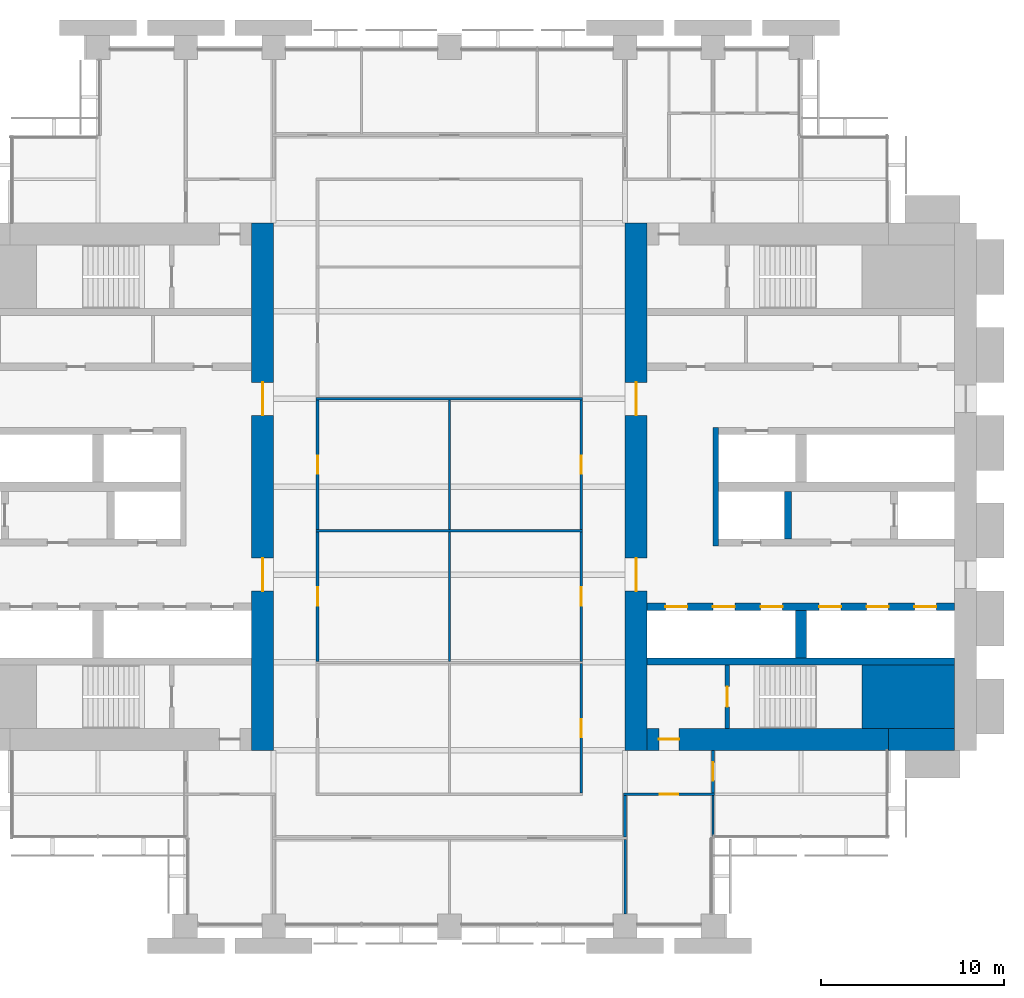
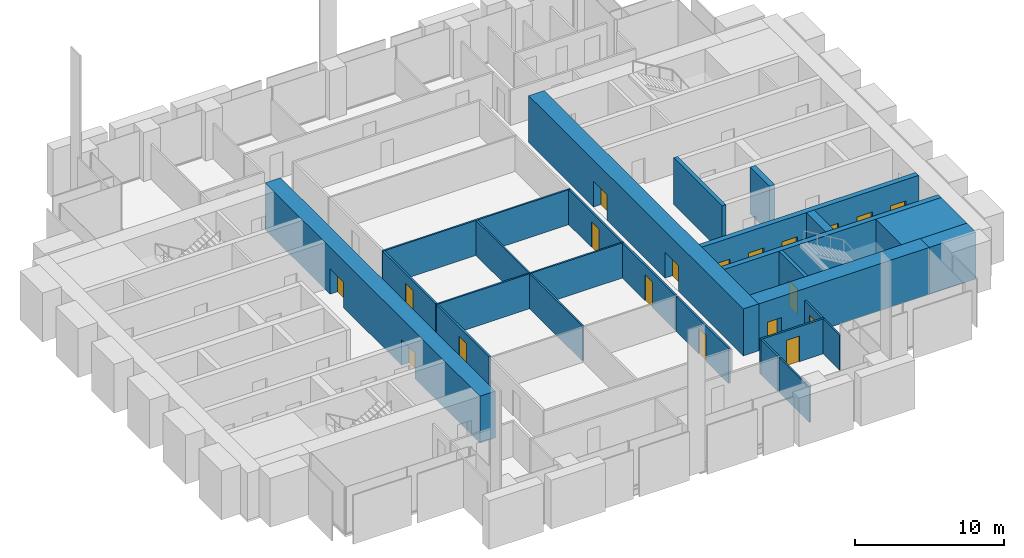
# One storey, part 10 of 14: 25 walls, 19 doors, 19 openings.
"""IFC4 building model written with IfcOpenShell, lengths in metres."""

from ifc_helpers import new_model, si_unit, direction, frame, frame_2d, origin, place, context, subcontext, project, spatial, rectangle, extrude, material, layer, layer_set, type_object, element, fill, save


model = new_model("IFC4")

# Units and contexts
model_context = context("Model", 3, precision=1e-05, world=origin(), true_north=direction((0.0, 1.0)))
body_context = subcontext(model_context, "Body", "Model", "MODEL_VIEW")
ifc_project = project(units=[si_unit("LENGTHUNIT", "METRE"), si_unit("AREAUNIT", "SQUARE_METRE"), si_unit("VOLUMEUNIT", "CUBIC_METRE"), si_unit("PLANEANGLEUNIT", "RADIAN"), si_unit("MASSUNIT", "GRAM", prefix="KILO")], contexts=[model_context])

# Site, building, storey
site_placement = place(None, origin())
site = spatial("IfcSite", under=ifc_project, at=site_placement, CompositionType="ELEMENT")
building_placement = place(site_placement, origin())
building = spatial("IfcBuilding", under=site, at=building_placement, Name="Baori Bourse Tower", CompositionType="ELEMENT")
storey_placement = place(building_placement, frame((0.0, 0.0, 75.0)))
storey = spatial("IfcBuildingStorey", under=building, at=storey_placement, Name="L16", CompositionType="ELEMENT", Elevation=75.0)

# Wall
ifc_material_1 = material(Name="Concrete f'c 70 MPa", Category="concrete")
wall_type_1 = type_object("IfcWallType", Name="Core corner block f'c 70", PredefinedType="SHEAR", material=ifc_material_1)
wall_1_placement = place(storey_placement, frame((51.35009765625, 12.52490234375, 0.0), z_axis=(0.0, 0.0, 1.0), x_axis=(1.0, 0.0, 0.0)))
element("IfcWall", 1, at=wall_1_placement, inside=storey, type_object=wall_type_1, Name="Core wall E05", PredefinedType="SHEAR", context=body_context, shape_type="SweptSolid", body=[
    extrude(rectangle(XDim=5.0498046875, YDim=3.449951171875, at=frame_2d((2.52490234375, 0.0))), origin(), (0.0, 0.0, 1.0), 3.840087890625),
])

# Wall, openings, doors
ifc_material_2 = material(Name="Concrete f'c 70 MPa", Category="concrete")
ifc_layer_1 = layer(ifc_material_2, 1.199951171875)
ifc_layer_set_1 = layer_set([ifc_layer_1], Name="Core wall 1200 f'c 70")
wall_type_2 = type_object("IfcWallType", Name="Core wall 1200 f'c 70", PredefinedType="SHEAR", material=ifc_layer_set_1)
wall_2_placement = place(storey_placement, frame((18.60009765625, 38.39990234375, 0.0), z_axis=(0.0, 0.0, 1.0), x_axis=(0.0, -1.0, 0.0)))
wall_2 = element("IfcWall", 2, at=wall_2_placement, inside=storey, type_object=wall_type_2, Name="Core wall W04", PredefinedType="SHEAR", context=body_context, shape_type="SweptSolid", body=[
    extrude(rectangle(XDim=28.7998046875, YDim=1.199951171875, at=frame_2d((14.39990234375, 0.0))), origin(), (0.0, 0.0, 1.0), 3.840087890625),
])
opening_1_placement = place(wall_2_placement, frame((18.300048828125, 0.0, 0.0)))
opening_1 = element("IfcOpeningElement", 3, at=opening_1_placement, cuts=wall_2, Name="Opening L16-D107", PredefinedType="OPENING", context=body_context, shape_type="SweptSolid", body=[
    extrude(rectangle(XDim=1.800048828125, YDim=2.10009765625, at=frame_2d((0.89990234375, 1.050048828125))), frame((0.0, 0.60986328125, 0.0), z_axis=(0.0, -1.0, 0.0), x_axis=(1.0, 0.0, 0.0)), (0.0, 0.0, 1.0), 1.219970703125),
])
opening_2_placement = place(wall_2_placement, frame((8.699951171875, 0.0, 0.0)))
opening_2 = element("IfcOpeningElement", 4, at=opening_2_placement, cuts=wall_2, Name="Opening L16-D108", PredefinedType="OPENING", context=body_context, shape_type="SweptSolid", body=[
    extrude(rectangle(XDim=1.800048828125, YDim=2.10009765625, at=frame_2d((0.89990234375, 1.050048828125))), frame((0.0, 0.60986328125, 0.0), z_axis=(0.0, -1.0, 0.0), x_axis=(1.0, 0.0, 0.0)), (0.0, 0.0, 1.0), 1.219970703125),
])
ifc_material_3 = material(Name="Painted steel door", Category="steel")
door_type_1 = type_object("IfcDoorType", Name="Core lobby door 1800", OperationType="DOUBLE_DOOR_SINGLE_SWING", PredefinedType="DOOR", material=ifc_material_3)
door_1_placement = place(opening_1_placement, origin())
door_1 = element("IfcDoor", 5, at=door_1_placement, inside=storey, type_object=door_type_1, Name="Lobby door W L16", OperationType="DOUBLE_DOOR_SINGLE_SWING", OverallHeight=2.10009765625, OverallWidth=1.800048828125, PredefinedType="DOOR", context=body_context, shape_type="SweptSolid", body=[
    extrude(rectangle(XDim=1.800048828125, YDim=2.10009765625, at=frame_2d((0.89990234375, 1.050048828125))), frame((0.0, 0.02490234375, 0.0), z_axis=(0.0, -1.0, 0.0), x_axis=(1.0, 0.0, 0.0)), (0.0, 0.0, 1.0), 0.050048828125),
])
fill(opening_1, door_1)
door_2_placement = place(opening_2_placement, origin())
door_2 = element("IfcDoor", 6, at=door_2_placement, inside=storey, type_object=door_type_1, Name="Lobby door W L16", OperationType="DOUBLE_DOOR_SINGLE_SWING", OverallHeight=2.10009765625, OverallWidth=1.800048828125, PredefinedType="DOOR", context=body_context, shape_type="SweptSolid", body=[
    extrude(rectangle(XDim=1.800048828125, YDim=2.10009765625, at=frame_2d((0.89990234375, 1.050048828125))), frame((0.0, 0.02490234375, 0.0), z_axis=(0.0, -1.0, 0.0), x_axis=(1.0, 0.0, 0.0)), (0.0, 0.0, 1.0), 0.050048828125),
])
fill(opening_2, door_2)

# Wall
wall_3_placement = place(storey_placement, frame((56.39990234375, 10.199951171875, 0.0), z_axis=(0.0, 0.0, 1.0), x_axis=(-1.0, 0.0, 0.0)))
element("IfcWall", 7, at=wall_3_placement, inside=storey, type_object=wall_type_2, Name="Core wall E02", PredefinedType="SHEAR", context=body_context, shape_type="SweptSolid", body=[
    extrude(rectangle(XDim=3.599853515625, YDim=1.199951171875, at=frame_2d((1.7998046875, 0.0))), origin(), (0.0, 0.0, 1.0), 3.840087890625),
])

# Wall, opening, door
wall_4_placement = place(storey_placement, frame((52.800048828125, 10.199951171875, 0.0), z_axis=(0.0, 0.0, 1.0), x_axis=(-1.0, 0.0, 0.0)))
wall_4 = element("IfcWall", 8, at=wall_4_placement, inside=storey, type_object=wall_type_2, Name="Core wall E03", PredefinedType="SHEAR", context=body_context, shape_type="SweptSolid", body=[
    extrude(rectangle(XDim=13.199951171875, YDim=1.199951171875, at=frame_2d((6.60009765625, 0.0))), origin(), (0.0, 0.0, 1.0), 3.840087890625),
])
opening_3_placement = place(wall_4_placement, frame((11.449951171875, 0.0, 0.0)))
opening_3 = element("IfcOpeningElement", 9, at=opening_3_placement, cuts=wall_4, Name="Opening L16-D202", PredefinedType="OPENING", context=body_context, shape_type="SweptSolid", body=[
    extrude(rectangle(XDim=1.10009765625, YDim=2.10009765625, at=frame_2d((0.550048828125, 1.050048828125))), frame((0.0, 0.60986328125, 0.0), z_axis=(0.0, -1.0, 0.0), x_axis=(1.0, 0.0, 0.0)), (0.0, 0.0, 1.0), 1.219970703125),
])
ifc_material_4 = material(Name="Painted steel door", Category="steel")
door_type_2 = type_object("IfcDoorType", Name="Stair door 1100", OperationType="SINGLE_SWING_LEFT", PredefinedType="DOOR", material=ifc_material_4)
door_3_placement = place(opening_3_placement, origin())
door_3 = element("IfcDoor", 10, at=door_3_placement, inside=storey, type_object=door_type_2, Name="Stair vestibule door A E L16", OperationType="SINGLE_SWING_LEFT", OverallHeight=2.10009765625, OverallWidth=1.10009765625, PredefinedType="DOOR", context=body_context, shape_type="SweptSolid", body=[
    extrude(rectangle(XDim=1.10009765625, YDim=2.10009765625, at=frame_2d((0.550048828125, 1.050048828125))), frame((0.0, 0.02490234375, 0.0), z_axis=(0.0, -1.0, 0.0), x_axis=(1.0, 0.0, 0.0)), (0.0, 0.0, 1.0), 0.050048828125),
])
fill(opening_3, door_3)

# Wall, openings, doors
wall_5_placement = place(storey_placement, frame((39.0, 9.60009765625, 0.0), z_axis=(0.0, 0.0, 1.0), x_axis=(0.0, 1.0, 0.0)))
wall_5 = element("IfcWall", 11, at=wall_5_placement, inside=storey, type_object=wall_type_2, Name="Core wall E04", PredefinedType="SHEAR", context=body_context, shape_type="SweptSolid", body=[
    extrude(rectangle(XDim=28.7998046875, YDim=1.199951171875, at=frame_2d((14.39990234375, 0.0))), origin(), (0.0, 0.0, 1.0), 3.840087890625),
])
opening_4_placement = place(wall_5_placement, frame((8.699951171875, 0.0, 0.0)))
opening_4 = element("IfcOpeningElement", 12, at=opening_4_placement, cuts=wall_5, Name="Opening L16-D207", PredefinedType="OPENING", context=body_context, shape_type="SweptSolid", body=[
    extrude(rectangle(XDim=1.800048828125, YDim=2.10009765625, at=frame_2d((0.89990234375, 1.050048828125))), frame((0.0, 0.60986328125, 0.0), z_axis=(0.0, -1.0, 0.0), x_axis=(1.0, 0.0, 0.0)), (0.0, 0.0, 1.0), 1.219970703125),
])
opening_5_placement = place(wall_5_placement, frame((18.300048828125, 0.0, 0.0)))
opening_5 = element("IfcOpeningElement", 13, at=opening_5_placement, cuts=wall_5, Name="Opening L16-D208", PredefinedType="OPENING", context=body_context, shape_type="SweptSolid", body=[
    extrude(rectangle(XDim=1.800048828125, YDim=2.10009765625, at=frame_2d((0.89990234375, 1.050048828125))), frame((0.0, 0.60986328125, 0.0), z_axis=(0.0, -1.0, 0.0), x_axis=(1.0, 0.0, 0.0)), (0.0, 0.0, 1.0), 1.219970703125),
])
door_4_placement = place(opening_4_placement, origin())
door_4 = element("IfcDoor", 14, at=door_4_placement, inside=storey, type_object=door_type_1, Name="Lobby door E L16", OperationType="DOUBLE_DOOR_SINGLE_SWING", OverallHeight=2.10009765625, OverallWidth=1.800048828125, PredefinedType="DOOR", context=body_context, shape_type="SweptSolid", body=[
    extrude(rectangle(XDim=1.800048828125, YDim=2.10009765625, at=frame_2d((0.89990234375, 1.050048828125))), frame((0.0, 0.02490234375, 0.0), z_axis=(0.0, -1.0, 0.0), x_axis=(1.0, 0.0, 0.0)), (0.0, 0.0, 1.0), 0.050048828125),
])
fill(opening_4, door_4)
door_5_placement = place(opening_5_placement, origin())
door_5 = element("IfcDoor", 15, at=door_5_placement, inside=storey, type_object=door_type_1, Name="Lobby door E L16", OperationType="DOUBLE_DOOR_SINGLE_SWING", OverallHeight=2.10009765625, OverallWidth=1.800048828125, PredefinedType="DOOR", context=body_context, shape_type="SweptSolid", body=[
    extrude(rectangle(XDim=1.800048828125, YDim=2.10009765625, at=frame_2d((0.89990234375, 1.050048828125))), frame((0.0, 0.02490234375, 0.0), z_axis=(0.0, -1.0, 0.0), x_axis=(1.0, 0.0, 0.0)), (0.0, 0.0, 1.0), 0.050048828125),
])
fill(opening_5, door_5)

# Wall, opening, door
ifc_material_5 = material(Name="Gypsum board partition")
ifc_layer_2 = layer(ifc_material_5, 0.14990234375)
ifc_layer_set_2 = layer_set([ifc_layer_2], Name="Corridor partition 150")
wall_type_3 = type_object("IfcWallType", Name="Corridor partition 150", PredefinedType="PARTITIONING", material=ifc_layer_set_2)
wall_6_placement = place(storey_placement, frame((38.324951171875, 7.199951171875, 0.0), z_axis=(0.0, 0.0, 1.0), x_axis=(1.0, 0.0, 0.0)))
wall_6 = element("IfcWall", 16, at=wall_6_placement, inside=storey, type_object=wall_type_3, Name="Partition", PredefinedType="PARTITIONING", context=body_context, shape_type="SweptSolid", body=[
    extrude(rectangle(XDim=4.949951171875, YDim=0.14990234375, at=frame_2d((2.47509765625, 0.0))), origin(), (0.0, 0.0, 1.0), 2.86962890625),
])
opening_6_placement = place(wall_6_placement, frame((1.97509765625, 0.0, 0.0)))
opening_6 = element("IfcOpeningElement", 17, at=opening_6_placement, cuts=wall_6, Name="Opening L16-D04", PredefinedType="OPENING", context=body_context, shape_type="SweptSolid", body=[
    extrude(rectangle(XDim=1.0, YDim=2.10009765625, at=frame_2d((0.5, 1.050048828125))), frame((0.0, 0.0849609375, 0.0), z_axis=(0.0, -1.0, 0.0), x_axis=(1.0, 0.0, 0.0)), (0.0, 0.0, 1.0), 0.169921875),
])
ifc_material_6 = material(Name="Timber door leaf", Category="wood")
door_type_3 = type_object("IfcDoorType", Name="Door 1000 x 2100", OperationType="SINGLE_SWING_LEFT", PredefinedType="DOOR", material=ifc_material_6)
door_6_placement = place(opening_6_placement, origin())
door_6 = element("IfcDoor", 18, at=door_6_placement, inside=storey, type_object=door_type_3, Name="Door", OperationType="SINGLE_SWING_LEFT", OverallHeight=2.10009765625, OverallWidth=1.0, PredefinedType="DOOR", context=body_context, shape_type="SweptSolid", body=[
    extrude(rectangle(XDim=1.0, YDim=2.10009765625, at=frame_2d((0.5, 1.050048828125))), frame((0.0, 0.02490234375, 0.0), z_axis=(0.0, -1.0, 0.0), x_axis=(1.0, 0.0, 0.0)), (0.0, 0.0, 1.0), 0.050048828125),
])
fill(opening_6, door_6)

wall_7_placement = place(storey_placement, frame((21.60009765625, 14.46240234375, 0.0), z_axis=(0.0, 0.0, 1.0), x_axis=(0.0, 1.0, 0.0)))
wall_7 = element("IfcWall", 19, at=wall_7_placement, inside=storey, type_object=wall_type_3, Name="Partition", PredefinedType="PARTITIONING", context=body_context, shape_type="SweptSolid", body=[
    extrude(rectangle(XDim=7.0751953125, YDim=0.14990234375, at=frame_2d((3.53759765625, 0.0))), origin(), (0.0, 0.0, 1.0), 2.86962890625),
])
opening_7_placement = place(wall_7_placement, frame((3.03759765625, 0.0, 0.0)))
opening_7 = element("IfcOpeningElement", 20, at=opening_7_placement, cuts=wall_7, Name="Opening L16-D17", PredefinedType="OPENING", context=body_context, shape_type="SweptSolid", body=[
    extrude(rectangle(XDim=1.0, YDim=2.10009765625, at=frame_2d((0.5, 1.050048828125))), frame((0.0, 0.0849609375, 0.0), z_axis=(0.0, -1.0, 0.0), x_axis=(1.0, 0.0, 0.0)), (0.0, 0.0, 1.0), 0.169921875),
])
door_7_placement = place(opening_7_placement, origin())
door_7 = element("IfcDoor", 21, at=door_7_placement, inside=storey, type_object=door_type_3, Name="Door", OperationType="SINGLE_SWING_LEFT", OverallHeight=2.10009765625, OverallWidth=1.0, PredefinedType="DOOR", context=body_context, shape_type="SweptSolid", body=[
    extrude(rectangle(XDim=1.0, YDim=2.10009765625, at=frame_2d((0.5, 1.050048828125))), frame((0.0, 0.02490234375, 0.0), z_axis=(0.0, -1.0, 0.0), x_axis=(1.0, 0.0, 0.0)), (0.0, 0.0, 1.0), 0.050048828125),
])
fill(opening_7, door_7)

wall_8_placement = place(storey_placement, frame((21.60009765625, 21.66259765625, 0.0), z_axis=(0.0, 0.0, 1.0), x_axis=(0.0, 1.0, 0.0)))
wall_8 = element("IfcWall", 22, at=wall_8_placement, inside=storey, type_object=wall_type_3, Name="Partition", PredefinedType="PARTITIONING", context=body_context, shape_type="SweptSolid", body=[
    extrude(rectangle(XDim=7.074951171875, YDim=0.14990234375, at=frame_2d((3.53759765625, 0.0))), origin(), (0.0, 0.0, 1.0), 2.86962890625),
])
opening_8_placement = place(wall_8_placement, frame((3.03759765625, 0.0, 0.0)))
opening_8 = element("IfcOpeningElement", 23, at=opening_8_placement, cuts=wall_8, Name="Opening L16-D18", PredefinedType="OPENING", context=body_context, shape_type="SweptSolid", body=[
    extrude(rectangle(XDim=1.0, YDim=2.10009765625, at=frame_2d((0.5, 1.050048828125))), frame((0.0, 0.0849609375, 0.0), z_axis=(0.0, -1.0, 0.0), x_axis=(1.0, 0.0, 0.0)), (0.0, 0.0, 1.0), 0.169921875),
])
door_8_placement = place(opening_8_placement, origin())
door_8 = element("IfcDoor", 24, at=door_8_placement, inside=storey, type_object=door_type_3, Name="Door", OperationType="SINGLE_SWING_LEFT", OverallHeight=2.10009765625, OverallWidth=1.0, PredefinedType="DOOR", context=body_context, shape_type="SweptSolid", body=[
    extrude(rectangle(XDim=1.0, YDim=2.10009765625, at=frame_2d((0.5, 1.050048828125))), frame((0.0, 0.02490234375, 0.0), z_axis=(0.0, -1.0, 0.0), x_axis=(1.0, 0.0, 0.0)), (0.0, 0.0, 1.0), 0.050048828125),
])
fill(opening_8, door_8)

wall_9_placement = place(storey_placement, frame((36.0, 7.27490234375, 0.0), z_axis=(0.0, 0.0, 1.0), x_axis=(0.0, 1.0, 0.0)))
wall_9 = element("IfcWall", 25, at=wall_9_placement, inside=storey, type_object=wall_type_3, Name="Partition", PredefinedType="PARTITIONING", context=body_context, shape_type="SweptSolid", body=[
    extrude(rectangle(XDim=7.0625, YDim=0.14990234375, at=frame_2d((3.53125, 0.0))), origin(), (0.0, 0.0, 1.0), 2.86962890625),
])
opening_9_placement = place(wall_9_placement, frame((3.03125, 0.0, 0.0)))
opening_9 = element("IfcOpeningElement", 26, at=opening_9_placement, cuts=wall_9, Name="Opening L16-D20", PredefinedType="OPENING", context=body_context, shape_type="SweptSolid", body=[
    extrude(rectangle(XDim=1.0, YDim=2.10009765625, at=frame_2d((0.5, 1.050048828125))), frame((0.0, 0.0849609375, 0.0), z_axis=(0.0, -1.0, 0.0), x_axis=(1.0, 0.0, 0.0)), (0.0, 0.0, 1.0), 0.169921875),
])
door_9_placement = place(opening_9_placement, origin())
door_9 = element("IfcDoor", 27, at=door_9_placement, inside=storey, type_object=door_type_3, Name="Door", OperationType="SINGLE_SWING_RIGHT", OverallHeight=2.10009765625, OverallWidth=1.0, PredefinedType="DOOR", context=body_context, shape_type="SweptSolid", body=[
    extrude(rectangle(XDim=1.0, YDim=2.10009765625, at=frame_2d((0.5, 1.050048828125))), frame((0.0, 0.02490234375, 0.0), z_axis=(0.0, -1.0, 0.0), x_axis=(1.0, 0.0, 0.0)), (0.0, 0.0, 1.0), 0.050048828125),
])
fill(opening_9, door_9)

wall_10_placement = place(storey_placement, frame((36.0, 14.46240234375, 0.0), z_axis=(0.0, 0.0, 1.0), x_axis=(0.0, 1.0, 0.0)))
wall_10 = element("IfcWall", 28, at=wall_10_placement, inside=storey, type_object=wall_type_3, Name="Partition", PredefinedType="PARTITIONING", context=body_context, shape_type="SweptSolid", body=[
    extrude(rectangle(XDim=7.0751953125, YDim=0.14990234375, at=frame_2d((3.53759765625, 0.0))), origin(), (0.0, 0.0, 1.0), 2.86962890625),
])
opening_10_placement = place(wall_10_placement, frame((3.03759765625, 0.0, 0.0)))
opening_10 = element("IfcOpeningElement", 29, at=opening_10_placement, cuts=wall_10, Name="Opening L16-D21", PredefinedType="OPENING", context=body_context, shape_type="SweptSolid", body=[
    extrude(rectangle(XDim=1.0, YDim=2.10009765625, at=frame_2d((0.5, 1.050048828125))), frame((0.0, 0.0849609375, 0.0), z_axis=(0.0, -1.0, 0.0), x_axis=(1.0, 0.0, 0.0)), (0.0, 0.0, 1.0), 0.169921875),
])
door_10_placement = place(opening_10_placement, origin())
door_10 = element("IfcDoor", 30, at=door_10_placement, inside=storey, type_object=door_type_3, Name="Door", OperationType="SINGLE_SWING_RIGHT", OverallHeight=2.10009765625, OverallWidth=1.0, PredefinedType="DOOR", context=body_context, shape_type="SweptSolid", body=[
    extrude(rectangle(XDim=1.0, YDim=2.10009765625, at=frame_2d((0.5, 1.050048828125))), frame((0.0, 0.02490234375, 0.0), z_axis=(0.0, -1.0, 0.0), x_axis=(1.0, 0.0, 0.0)), (0.0, 0.0, 1.0), 0.050048828125),
])
fill(opening_10, door_10)

wall_11_placement = place(storey_placement, frame((36.0, 21.66259765625, 0.0), z_axis=(0.0, 0.0, 1.0), x_axis=(0.0, 1.0, 0.0)))
wall_11 = element("IfcWall", 31, at=wall_11_placement, inside=storey, type_object=wall_type_3, Name="Partition", PredefinedType="PARTITIONING", context=body_context, shape_type="SweptSolid", body=[
    extrude(rectangle(XDim=7.074951171875, YDim=0.14990234375, at=frame_2d((3.53759765625, 0.0))), origin(), (0.0, 0.0, 1.0), 2.86962890625),
])
opening_11_placement = place(wall_11_placement, frame((3.03759765625, 0.0, 0.0)))
opening_11 = element("IfcOpeningElement", 32, at=opening_11_placement, cuts=wall_11, Name="Opening L16-D22", PredefinedType="OPENING", context=body_context, shape_type="SweptSolid", body=[
    extrude(rectangle(XDim=1.0, YDim=2.10009765625, at=frame_2d((0.5, 1.050048828125))), frame((0.0, 0.0849609375, 0.0), z_axis=(0.0, -1.0, 0.0), x_axis=(1.0, 0.0, 0.0)), (0.0, 0.0, 1.0), 0.169921875),
])
door_11_placement = place(opening_11_placement, origin())
door_11 = element("IfcDoor", 33, at=door_11_placement, inside=storey, type_object=door_type_3, Name="Door", OperationType="SINGLE_SWING_RIGHT", OverallHeight=2.10009765625, OverallWidth=1.0, PredefinedType="DOOR", context=body_context, shape_type="SweptSolid", body=[
    extrude(rectangle(XDim=1.0, YDim=2.10009765625, at=frame_2d((0.5, 1.050048828125))), frame((0.0, 0.02490234375, 0.0), z_axis=(0.0, -1.0, 0.0), x_axis=(1.0, 0.0, 0.0)), (0.0, 0.0, 1.0), 0.050048828125),
])
fill(opening_11, door_11)

# Wall
wall_12_placement = place(storey_placement, frame((38.39990234375, 4.875, 0.0), z_axis=(0.0, 0.0, 1.0), x_axis=(0.0, 1.0, 0.0)))
element("IfcWall", 34, at=wall_12_placement, inside=storey, type_object=wall_type_3, Name="Partition", PredefinedType="PARTITIONING", context=body_context, shape_type="SweptSolid", body=[
    extrude(rectangle(XDim=2.25, YDim=0.14990234375, at=frame_2d((1.125, 0.0))), origin(), (0.0, 0.0, 1.0), 2.86962890625),
])

# Wall, opening, door
wall_13_placement = place(storey_placement, frame((43.199951171875, 7.27490234375, 0.0), z_axis=(0.0, 0.0, 1.0), x_axis=(0.0, 1.0, 0.0)))
wall_13 = element("IfcWall", 35, at=wall_13_placement, inside=storey, type_object=wall_type_3, Name="Partition", PredefinedType="PARTITIONING", context=body_context, shape_type="SweptSolid", body=[
    extrude(rectangle(XDim=2.3251953125, YDim=0.14990234375, at=frame_2d((1.16259765625, 0.0))), origin(), (0.0, 0.0, 1.0), 2.86962890625),
])
opening_12_placement = place(wall_13_placement, frame((0.66259765625, 0.0, 0.0)))
opening_12 = element("IfcOpeningElement", 36, at=opening_12_placement, cuts=wall_13, Name="Opening L16-D24", PredefinedType="OPENING", context=body_context, shape_type="SweptSolid", body=[
    extrude(rectangle(XDim=1.0, YDim=2.10009765625, at=frame_2d((0.5, 1.050048828125))), frame((0.0, 0.0849609375, 0.0), z_axis=(0.0, -1.0, 0.0), x_axis=(1.0, 0.0, 0.0)), (0.0, 0.0, 1.0), 0.169921875),
])
door_12_placement = place(opening_12_placement, origin())
door_12 = element("IfcDoor", 37, at=door_12_placement, inside=storey, type_object=door_type_3, Name="Door", OperationType="SINGLE_SWING_LEFT", OverallHeight=2.10009765625, OverallWidth=1.0, PredefinedType="DOOR", context=body_context, shape_type="SweptSolid", body=[
    extrude(rectangle(XDim=1.0, YDim=2.10009765625, at=frame_2d((0.5, 1.050048828125))), frame((0.0, 0.02490234375, 0.0), z_axis=(0.0, -1.0, 0.0), x_axis=(1.0, 0.0, 0.0)), (0.0, 0.0, 1.0), 0.050048828125),
])
fill(opening_12, door_12)

# Walls
ifc_material_7 = material(Name="Gypsum board partition")
ifc_layer_3 = layer(ifc_material_7, 0.125)
ifc_layer_set_3 = layer_set([ifc_layer_3], Name="Partition 125")
wall_type_4 = type_object("IfcWallType", Name="Partition 125", PredefinedType="PARTITIONING", material=ifc_layer_set_3)
for number, where, z_axis, x_axis, name in (
    (38, (21.52490234375, 21.60009765625, 0.0), (0.0, 0.0, 1.0), (1.0, 0.0, 0.0), "Partition"),
    (39, (21.52490234375, 28.800048828125, 0.0), (0.0, 0.0, 1.0), (1.0, 0.0, 0.0), "Partition"),
):
    element("IfcWall", number, at=place(storey_placement, frame(where, z_axis=z_axis, x_axis=x_axis)), inside=storey, type_object=wall_type_4, Name=name, PredefinedType="PARTITIONING", context=body_context, shape_type="SweptSolid", body=[
        extrude(rectangle(XDim=14.550048828125, YDim=0.125, at=frame_2d((7.27490234375, 0.0))), origin(), (0.0, 0.0, 1.0), 2.86962890625),
    ])
wall_14_placement = place(storey_placement, frame((28.800048828125, 14.46240234375, 0.0), z_axis=(0.0, 0.0, 1.0), x_axis=(0.0, 1.0, 0.0)))
element("IfcWall", 40, at=wall_14_placement, inside=storey, type_object=wall_type_4, Name="Partition", PredefinedType="PARTITIONING", context=body_context, shape_type="SweptSolid", body=[
    extrude(rectangle(XDim=7.0751953125, YDim=0.125, at=frame_2d((3.53759765625, 0.0))), origin(), (0.0, 0.0, 1.0), 2.86962890625),
])
wall_15_placement = place(storey_placement, frame((28.800048828125, 21.66259765625, 0.0), z_axis=(0.0, 0.0, 1.0), x_axis=(0.0, 1.0, 0.0)))
element("IfcWall", 41, at=wall_15_placement, inside=storey, type_object=wall_type_4, Name="Partition", PredefinedType="PARTITIONING", context=body_context, shape_type="SweptSolid", body=[
    extrude(rectangle(XDim=7.074951171875, YDim=0.125, at=frame_2d((3.53759765625, 0.0))), origin(), (0.0, 0.0, 1.0), 2.86962890625),
])
wall_16_placement = place(storey_placement, frame((38.39990234375, 0.64990234375, 0.0), z_axis=(0.0, 0.0, 1.0), x_axis=(0.0, 1.0, 0.0)))
element("IfcWall", 42, at=wall_16_placement, inside=storey, type_object=wall_type_4, Name="Partition", PredefinedType="PARTITIONING", context=body_context, shape_type="SweptSolid", body=[
    extrude(rectangle(XDim=4.0751953125, YDim=0.125, at=frame_2d((2.03759765625, 0.0))), origin(), (0.0, 0.0, 1.0), 2.86962890625),
])
wall_17_placement = place(storey_placement, frame((43.199951171875, 4.89990234375, 0.0), z_axis=(0.0, 0.0, 1.0), x_axis=(0.0, 1.0, 0.0)))
element("IfcWall", 43, at=wall_17_placement, inside=storey, type_object=wall_type_4, Name="Partition", PredefinedType="PARTITIONING", context=body_context, shape_type="SweptSolid", body=[
    extrude(rectangle(XDim=2.22509765625, YDim=0.125, at=frame_2d((1.112548828125, 0.0))), origin(), (0.0, 0.0, 1.0), 2.86962890625),
])

# Wall, opening, door
ifc_material_8 = material(Name="Concrete f'c 70 MPa", Category="concrete")
ifc_layer_4 = layer(ifc_material_8, 0.25)
ifc_layer_set_4 = layer_set([ifc_layer_4], Name="Shaft wall 250 f'c 70")
wall_type_5 = type_object("IfcWallType", Name="Shaft wall 250 f'c 70", PredefinedType="SHEAR", material=ifc_layer_set_4)
wall_18_placement = place(storey_placement, frame((43.97509765625, 10.800048828125, 0.0), z_axis=(0.0, 0.0, 1.0), x_axis=(0.0, 1.0, 0.0)))
wall_18 = element("IfcWall", 44, at=wall_18_placement, inside=storey, type_object=wall_type_5, Name="Core wall E06", PredefinedType="SHEAR", context=body_context, shape_type="SweptSolid", body=[
    extrude(rectangle(XDim=3.449951171875, YDim=0.25, at=frame_2d((1.72509765625, 0.0))), origin(), (0.0, 0.0, 1.0), 3.840087890625),
])
opening_13_placement = place(wall_18_placement, frame((1.175048828125, 0.0, 0.0)))
opening_13 = element("IfcOpeningElement", 45, at=opening_13_placement, cuts=wall_18, Name="Opening L16-D201", PredefinedType="OPENING", context=body_context, shape_type="SweptSolid", body=[
    extrude(rectangle(XDim=1.10009765625, YDim=2.10009765625, at=frame_2d((0.550048828125, 1.050048828125))), frame((0.0, 0.135009765625, 0.0), z_axis=(0.0, -1.0, 0.0), x_axis=(1.0, 0.0, 0.0)), (0.0, 0.0, 1.0), 0.27001953125),
])
door_13_placement = place(opening_13_placement, origin())
door_13 = element("IfcDoor", 46, at=door_13_placement, inside=storey, type_object=door_type_2, Name="Stair door A E L16", OperationType="SINGLE_SWING_LEFT", OverallHeight=2.10009765625, OverallWidth=1.10009765625, PredefinedType="DOOR", context=body_context, shape_type="SweptSolid", body=[
    extrude(rectangle(XDim=1.10009765625, YDim=2.10009765625, at=frame_2d((0.550048828125, 1.050048828125))), frame((0.0, 0.02490234375, 0.0), z_axis=(0.0, -1.0, 0.0), x_axis=(1.0, 0.0, 0.0)), (0.0, 0.0, 1.0), 0.050048828125),
])
fill(opening_13, door_13)

# Walls
ifc_material_9 = material(Name="Concrete f'c 70 MPa", Category="concrete")
ifc_layer_5 = layer(ifc_material_9, 0.300048828125)
ifc_layer_set_5 = layer_set([ifc_layer_5], Name="Shaft wall 300 f'c 70")
wall_type_6 = type_object("IfcWallType", Name="Shaft wall 300 f'c 70", PredefinedType="SHEAR", material=ifc_layer_set_5)
wall_19_placement = place(storey_placement, frame((43.35009765625, 20.75, 0.0), z_axis=(0.0, 0.0, 1.0), x_axis=(0.0, 1.0, 0.0)))
element("IfcWall", 47, at=wall_19_placement, inside=storey, type_object=wall_type_6, Name="Core wall E11", PredefinedType="SHEAR", context=body_context, shape_type="SweptSolid", body=[
    extrude(rectangle(XDim=6.5, YDim=0.300048828125, at=frame_2d((3.25, 0.0))), origin(), (0.0, 0.0, 1.0), 3.840087890625),
])
ifc_material_10 = material(Name="Concrete f'c 70 MPa", Category="concrete")
ifc_layer_6 = layer(ifc_material_10, 0.39990234375)
ifc_layer_set_6 = layer_set([ifc_layer_6], Name="Shaft wall 400 f'c 70")
wall_type_7 = type_object("IfcWallType", Name="Shaft wall 400 f'c 70", PredefinedType="SHEAR", material=ifc_layer_set_6)
wall_20_placement = place(storey_placement, frame((39.60009765625, 14.449951171875, 0.0), z_axis=(0.0, 0.0, 1.0), x_axis=(1.0, 0.0, 0.0)))
element("IfcWall", 48, at=wall_20_placement, inside=storey, type_object=wall_type_7, Name="Core wall E07", PredefinedType="SHEAR", context=body_context, shape_type="SweptSolid", body=[
    extrude(rectangle(XDim=16.7998046875, YDim=0.39990234375, at=frame_2d((8.39990234375, 0.0))), origin(), (0.0, 0.0, 1.0), 3.840087890625),
])

# Wall, openings, doors
wall_21_placement = place(storey_placement, frame((39.60009765625, 17.449951171875, 0.0), z_axis=(0.0, 0.0, 1.0), x_axis=(1.0, 0.0, 0.0)))
wall_21 = element("IfcWall", 49, at=wall_21_placement, inside=storey, type_object=wall_type_7, Name="Core wall E09", PredefinedType="SHEAR", context=body_context, shape_type="SweptSolid", body=[
    extrude(rectangle(XDim=16.7998046875, YDim=0.39990234375, at=frame_2d((8.39990234375, 0.0))), origin(), (0.0, 0.0, 1.0), 3.840087890625),
])
opening_14_placement = place(wall_21_placement, frame((14.60009765625, 0.0, 0.0)))
opening_14 = element("IfcOpeningElement", 50, at=opening_14_placement, cuts=wall_21, Name="Opening L16-D212", PredefinedType="OPENING", context=body_context, shape_type="SweptSolid", body=[
    extrude(rectangle(XDim=1.199951171875, YDim=2.10009765625, at=frame_2d((0.60009765625, 1.050048828125))), frame((0.0, 0.2099609375, 0.0), z_axis=(0.0, -1.0, 0.0), x_axis=(1.0, 0.0, 0.0)), (0.0, 0.0, 1.0), 0.419921875),
])
opening_15_placement = place(wall_21_placement, frame((12.0, 0.0, 0.0)))
opening_15 = element("IfcOpeningElement", 51, at=opening_15_placement, cuts=wall_21, Name="Opening L16-D213", PredefinedType="OPENING", context=body_context, shape_type="SweptSolid", body=[
    extrude(rectangle(XDim=1.199951171875, YDim=2.10009765625, at=frame_2d((0.60009765625, 1.050048828125))), frame((0.0, 0.2099609375, 0.0), z_axis=(0.0, -1.0, 0.0), x_axis=(1.0, 0.0, 0.0)), (0.0, 0.0, 1.0), 0.419921875),
])
opening_16_placement = place(wall_21_placement, frame((9.39990234375, 0.0, 0.0)))
opening_16 = element("IfcOpeningElement", 52, at=opening_16_placement, cuts=wall_21, Name="Opening L16-D214", PredefinedType="OPENING", context=body_context, shape_type="SweptSolid", body=[
    extrude(rectangle(XDim=1.199951171875, YDim=2.10009765625, at=frame_2d((0.60009765625, 1.050048828125))), frame((0.0, 0.2099609375, 0.0), z_axis=(0.0, -1.0, 0.0), x_axis=(1.0, 0.0, 0.0)), (0.0, 0.0, 1.0), 0.419921875),
])
opening_17_placement = place(wall_21_placement, frame((6.199951171875, 0.0, 0.0)))
opening_17 = element("IfcOpeningElement", 53, at=opening_17_placement, cuts=wall_21, Name="Opening L16-D215", PredefinedType="OPENING", context=body_context, shape_type="SweptSolid", body=[
    extrude(rectangle(XDim=1.199951171875, YDim=2.10009765625, at=frame_2d((0.60009765625, 1.050048828125))), frame((0.0, 0.2099609375, 0.0), z_axis=(0.0, -1.0, 0.0), x_axis=(1.0, 0.0, 0.0)), (0.0, 0.0, 1.0), 0.419921875),
])
opening_18_placement = place(wall_21_placement, frame((3.60009765625, 0.0, 0.0)))
opening_18 = element("IfcOpeningElement", 54, at=opening_18_placement, cuts=wall_21, Name="Opening L16-D216", PredefinedType="OPENING", context=body_context, shape_type="SweptSolid", body=[
    extrude(rectangle(XDim=1.199951171875, YDim=2.10009765625, at=frame_2d((0.60009765625, 1.050048828125))), frame((0.0, 0.2099609375, 0.0), z_axis=(0.0, -1.0, 0.0), x_axis=(1.0, 0.0, 0.0)), (0.0, 0.0, 1.0), 0.419921875),
])
opening_19_placement = place(wall_21_placement, frame((1.0, 0.0, 0.0)))
opening_19 = element("IfcOpeningElement", 55, at=opening_19_placement, cuts=wall_21, Name="Opening L16-D217", PredefinedType="OPENING", context=body_context, shape_type="SweptSolid", body=[
    extrude(rectangle(XDim=1.199951171875, YDim=2.10009765625, at=frame_2d((0.60009765625, 1.050048828125))), frame((0.0, 0.2099609375, 0.0), z_axis=(0.0, -1.0, 0.0), x_axis=(1.0, 0.0, 0.0)), (0.0, 0.0, 1.0), 0.419921875),
])
ifc_material_11 = material(Name="Stainless steel door", Category="steel")
door_type_4 = type_object("IfcDoorType", Name="Lift landing door", OperationType="DOUBLE_DOOR_SLIDING", PredefinedType="DOOR", material=ifc_material_11)
door_14_placement = place(opening_14_placement, origin())
door_14 = element("IfcDoor", 56, at=door_14_placement, inside=storey, type_object=door_type_4, Name="Lift landing door LR1 E L16", OperationType="DOUBLE_DOOR_SLIDING", OverallHeight=2.10009765625, OverallWidth=1.199951171875, PredefinedType="DOOR", context=body_context, shape_type="SweptSolid", body=[
    extrude(rectangle(XDim=1.199951171875, YDim=2.10009765625, at=frame_2d((0.60009765625, 1.050048828125))), frame((0.0, 0.02490234375, 0.0), z_axis=(0.0, -1.0, 0.0), x_axis=(1.0, 0.0, 0.0)), (0.0, 0.0, 1.0), 0.050048828125),
])
fill(opening_14, door_14)
door_15_placement = place(opening_15_placement, origin())
door_15 = element("IfcDoor", 57, at=door_15_placement, inside=storey, type_object=door_type_4, Name="Lift landing door LR2 E L16", OperationType="DOUBLE_DOOR_SLIDING", OverallHeight=2.10009765625, OverallWidth=1.199951171875, PredefinedType="DOOR", context=body_context, shape_type="SweptSolid", body=[
    extrude(rectangle(XDim=1.199951171875, YDim=2.10009765625, at=frame_2d((0.60009765625, 1.050048828125))), frame((0.0, 0.02490234375, 0.0), z_axis=(0.0, -1.0, 0.0), x_axis=(1.0, 0.0, 0.0)), (0.0, 0.0, 1.0), 0.050048828125),
])
fill(opening_15, door_15)
door_16_placement = place(opening_16_placement, origin())
door_16 = element("IfcDoor", 58, at=door_16_placement, inside=storey, type_object=door_type_4, Name="Lift landing door LR3 E L16", OperationType="DOUBLE_DOOR_SLIDING", OverallHeight=2.10009765625, OverallWidth=1.199951171875, PredefinedType="DOOR", context=body_context, shape_type="SweptSolid", body=[
    extrude(rectangle(XDim=1.199951171875, YDim=2.10009765625, at=frame_2d((0.60009765625, 1.050048828125))), frame((0.0, 0.02490234375, 0.0), z_axis=(0.0, -1.0, 0.0), x_axis=(1.0, 0.0, 0.0)), (0.0, 0.0, 1.0), 0.050048828125),
])
fill(opening_16, door_16)
door_17_placement = place(opening_17_placement, origin())
door_17 = element("IfcDoor", 59, at=door_17_placement, inside=storey, type_object=door_type_4, Name="Lift landing door LR4 E L16", OperationType="DOUBLE_DOOR_SLIDING", OverallHeight=2.10009765625, OverallWidth=1.199951171875, PredefinedType="DOOR", context=body_context, shape_type="SweptSolid", body=[
    extrude(rectangle(XDim=1.199951171875, YDim=2.10009765625, at=frame_2d((0.60009765625, 1.050048828125))), frame((0.0, 0.02490234375, 0.0), z_axis=(0.0, -1.0, 0.0), x_axis=(1.0, 0.0, 0.0)), (0.0, 0.0, 1.0), 0.050048828125),
])
fill(opening_17, door_17)
door_18_placement = place(opening_18_placement, origin())
door_18 = element("IfcDoor", 60, at=door_18_placement, inside=storey, type_object=door_type_4, Name="Lift landing door LR5 E L16", OperationType="DOUBLE_DOOR_SLIDING", OverallHeight=2.10009765625, OverallWidth=1.199951171875, PredefinedType="DOOR", context=body_context, shape_type="SweptSolid", body=[
    extrude(rectangle(XDim=1.199951171875, YDim=2.10009765625, at=frame_2d((0.60009765625, 1.050048828125))), frame((0.0, 0.02490234375, 0.0), z_axis=(0.0, -1.0, 0.0), x_axis=(1.0, 0.0, 0.0)), (0.0, 0.0, 1.0), 0.050048828125),
])
fill(opening_18, door_18)
door_19_placement = place(opening_19_placement, origin())
door_19 = element("IfcDoor", 61, at=door_19_placement, inside=storey, type_object=door_type_4, Name="Lift landing door LR6 E L16", OperationType="DOUBLE_DOOR_SLIDING", OverallHeight=2.10009765625, OverallWidth=1.199951171875, PredefinedType="DOOR", context=body_context, shape_type="SweptSolid", body=[
    extrude(rectangle(XDim=1.199951171875, YDim=2.10009765625, at=frame_2d((0.60009765625, 1.050048828125))), frame((0.0, 0.02490234375, 0.0), z_axis=(0.0, -1.0, 0.0), x_axis=(1.0, 0.0, 0.0)), (0.0, 0.0, 1.0), 0.050048828125),
])
fill(opening_19, door_19)

# Walls
wall_22_placement = place(storey_placement, frame((47.300048828125, 21.14990234375, 0.0), z_axis=(0.0, 0.0, 1.0), x_axis=(0.0, 1.0, 0.0)))
element("IfcWall", 62, at=wall_22_placement, inside=storey, type_object=wall_type_7, Name="Core wall E13", PredefinedType="SHEAR", context=body_context, shape_type="SweptSolid", body=[
    extrude(rectangle(XDim=2.60009765625, YDim=0.39990234375, at=frame_2d((1.300048828125, 0.0))), origin(), (0.0, 0.0, 1.0), 3.840087890625),
])
ifc_material_12 = material(Name="Concrete f'c 70 MPa", Category="concrete")
ifc_layer_7 = layer(ifc_material_12, 0.60009765625)
ifc_layer_set_7 = layer_set([ifc_layer_7], Name="Shaft wall 600 f'c 70")
wall_type_8 = type_object("IfcWallType", Name="Shaft wall 600 f'c 70", PredefinedType="SHEAR", material=ifc_layer_set_7)
wall_23_placement = place(storey_placement, frame((48.0, 14.64990234375, 0.0), z_axis=(0.0, 0.0, 1.0), x_axis=(0.0, 1.0, 0.0)))
element("IfcWall", 63, at=wall_23_placement, inside=storey, type_object=wall_type_8, Name="Core wall E08", PredefinedType="SHEAR", context=body_context, shape_type="SweptSolid", body=[
    extrude(rectangle(XDim=2.60009765625, YDim=0.60009765625, at=frame_2d((1.300048828125, 0.0))), origin(), (0.0, 0.0, 1.0), 3.840087890625),
])

save(model, "model.ifc")
